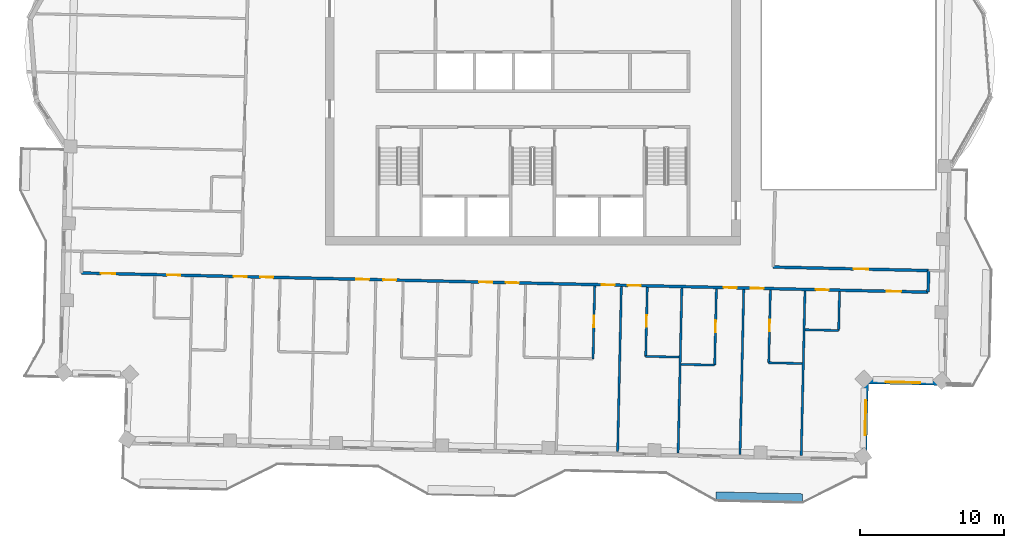
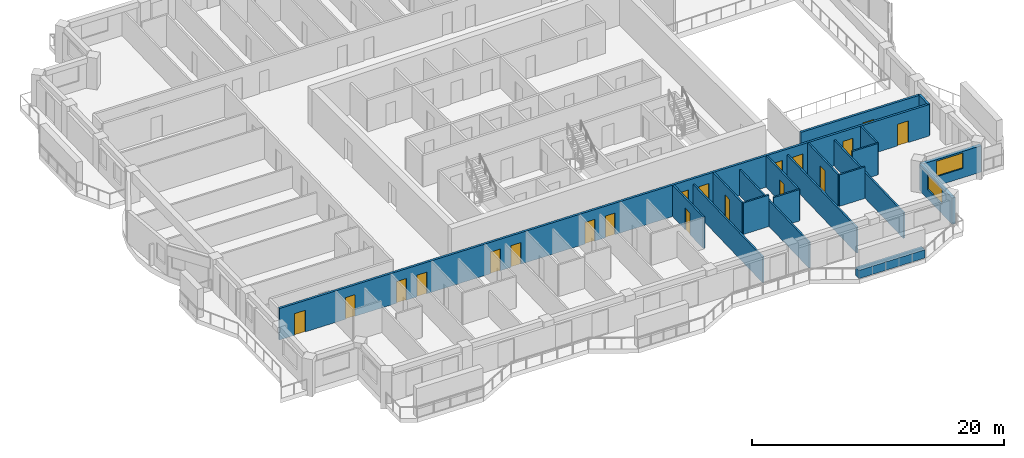
# One storey, part 6 of 15: 19 doors, 19 walls, 2 windows, 21 openings.
"""IFC4 building model written with IfcOpenShell, lengths in metres."""

from ifc_helpers import new_model, si_unit, direction, frame, frame_2d, origin, place, context, subcontext, project, spatial, rectangle, extrude, material, layer, layer_set, type_object, element, fill, save


model = new_model("IFC4")

# Units and contexts
model_context = context("Model", 3, precision=1e-05, world=origin(), true_north=direction((0.0, 1.0)))
body_context = subcontext(model_context, "Body", "Model", "MODEL_VIEW")
ifc_project = project(units=[si_unit("LENGTHUNIT", "METRE"), si_unit("AREAUNIT", "SQUARE_METRE"), si_unit("VOLUMEUNIT", "CUBIC_METRE"), si_unit("PLANEANGLEUNIT", "RADIAN"), si_unit("MASSUNIT", "GRAM", prefix="KILO")], contexts=[model_context])

# Site, building, storey
site_placement = place(None, origin())
site = spatial("IfcSite", under=ifc_project, at=site_placement, CompositionType="ELEMENT")
building_placement = place(site_placement, origin())
building = spatial("IfcBuilding", under=site, at=building_placement, Name="Mangrove Gate Tower", CompositionType="ELEMENT")
storey_placement = place(building_placement, frame((0.0, 0.0, 313.300048828125)))
storey = spatial("IfcBuildingStorey", under=building, at=storey_placement, Name="L80", CompositionType="ELEMENT", Elevation=313.300048828125)

# Wall, openings, doors
ifc_material_1 = material(Name="Gypsum board on steel stud, EI 60", Category="steel")
ifc_layer_1 = layer(ifc_material_1, 0.199951171875)
ifc_layer_set_1 = layer_set([ifc_layer_1], Name="Corridor wall EI 60")
wall_type_1 = type_object("IfcWallType", Name="Corridor wall EI 60", PredefinedType="PARTITIONING", material=ifc_layer_set_1)
wall_1_placement = place(storey_placement, frame((-31.346923828125, -13.3291015625, 0.0), z_axis=(0.0, 0.0, 1.0), x_axis=(0.999742613079, -0.022687168058, 0.0)))
wall_1 = element("IfcWall", 1, at=wall_1_placement, inside=storey, type_object=wall_type_1, Name="WALL-L80-034", PredefinedType="PARTITIONING", context=body_context, shape_type="SweptSolid", body=[
    extrude(rectangle(XDim=58.799072265625, YDim=0.199951171875, at=frame_2d((29.3994140625, 0.0))), origin(), (0.0, 0.0, 1.0), 3.050048828125),
])
opening_1_placement = place(wall_1_placement, frame((1.35009765625, 0.0, 0.0)))
opening_1 = element("IfcOpeningElement", 2, at=opening_1_placement, cuts=wall_1, Name="Opening AD", PredefinedType="OPENING", context=body_context, shape_type="SweptSolid", body=[
    extrude(rectangle(XDim=1.0, YDim=2.10009765625, at=frame_2d((0.5, 1.050048828125))), frame((0.0, 0.10986328125, 0.0), z_axis=(0.0, -1.0, 0.0), x_axis=(1.0, 0.0, 0.0)), (0.0, 0.0, 1.0), 0.219970703125),
])
opening_2_placement = place(wall_1_placement, frame((5.949951171875, 0.0, 0.0)))
opening_2 = element("IfcOpeningElement", 3, at=opening_2_placement, cuts=wall_1, Name="Opening SD", PredefinedType="OPENING", context=body_context, shape_type="SweptSolid", body=[
    extrude(rectangle(XDim=0.89990234375, YDim=2.10009765625, at=frame_2d((0.449951171875, 1.050048828125))), frame((0.0, 0.10986328125, 0.0), z_axis=(0.0, -1.0, 0.0), x_axis=(1.0, 0.0, 0.0)), (0.0, 0.0, 1.0), 0.219970703125),
])
opening_3_placement = place(wall_1_placement, frame((10.574951171875, 0.0, 0.0)))
opening_3 = element("IfcOpeningElement", 4, at=opening_3_placement, cuts=wall_1, Name="Opening BD", PredefinedType="OPENING", context=body_context, shape_type="SweptSolid", body=[
    extrude(rectangle(XDim=0.89990234375, YDim=2.10009765625, at=frame_2d((0.449951171875, 1.050048828125))), frame((0.0, 0.10986328125, 0.0), z_axis=(0.0, -1.0, 0.0), x_axis=(1.0, 0.0, 0.0)), (0.0, 0.0, 1.0), 0.219970703125),
])
opening_4_placement = place(wall_1_placement, frame((12.425048828125, 0.0, 0.0)))
opening_4 = element("IfcOpeningElement", 5, at=opening_4_placement, cuts=wall_1, Name="Opening BD", PredefinedType="OPENING", context=body_context, shape_type="SweptSolid", body=[
    extrude(rectangle(XDim=0.89990234375, YDim=2.10009765625, at=frame_2d((0.449951171875, 1.050048828125))), frame((0.0, 0.10986328125, 0.0), z_axis=(0.0, -1.0, 0.0), x_axis=(1.0, 0.0, 0.0)), (0.0, 0.0, 1.0), 0.219970703125),
])
opening_5_placement = place(wall_1_placement, frame((19.074951171875, 0.0, 0.0)))
opening_5 = element("IfcOpeningElement", 6, at=opening_5_placement, cuts=wall_1, Name="Opening BD", PredefinedType="OPENING", context=body_context, shape_type="SweptSolid", body=[
    extrude(rectangle(XDim=0.89990234375, YDim=2.10009765625, at=frame_2d((0.449951171875, 1.050048828125))), frame((0.0, 0.10986328125, 0.0), z_axis=(0.0, -1.0, 0.0), x_axis=(1.0, 0.0, 0.0)), (0.0, 0.0, 1.0), 0.219970703125),
])
opening_6_placement = place(wall_1_placement, frame((20.949951171875, 0.0, 0.0)))
opening_6 = element("IfcOpeningElement", 7, at=opening_6_placement, cuts=wall_1, Name="Opening BD", PredefinedType="OPENING", context=body_context, shape_type="SweptSolid", body=[
    extrude(rectangle(XDim=0.89990234375, YDim=2.10009765625, at=frame_2d((0.449951171875, 1.050048828125))), frame((0.0, 0.10986328125, 0.0), z_axis=(0.0, -1.0, 0.0), x_axis=(1.0, 0.0, 0.0)), (0.0, 0.0, 1.0), 0.219970703125),
])
opening_7_placement = place(wall_1_placement, frame((27.625, 0.0, 0.0)))
opening_7 = element("IfcOpeningElement", 8, at=opening_7_placement, cuts=wall_1, Name="Opening BD", PredefinedType="OPENING", context=body_context, shape_type="SweptSolid", body=[
    extrude(rectangle(XDim=0.89990234375, YDim=2.10009765625, at=frame_2d((0.449951171875, 1.050048828125))), frame((0.0, 0.10986328125, 0.0), z_axis=(0.0, -1.0, 0.0), x_axis=(1.0, 0.0, 0.0)), (0.0, 0.0, 1.0), 0.219970703125),
])
opening_8_placement = place(wall_1_placement, frame((29.47509765625, 0.0, 0.0)))
opening_8 = element("IfcOpeningElement", 9, at=opening_8_placement, cuts=wall_1, Name="Opening BD", PredefinedType="OPENING", context=body_context, shape_type="SweptSolid", body=[
    extrude(rectangle(XDim=0.89990234375, YDim=2.10009765625, at=frame_2d((0.449951171875, 1.050048828125))), frame((0.0, 0.10986328125, 0.0), z_axis=(0.0, -1.0, 0.0), x_axis=(1.0, 0.0, 0.0)), (0.0, 0.0, 1.0), 0.219970703125),
])
opening_9_placement = place(wall_1_placement, frame((36.125, 0.0, 0.0)))
opening_9 = element("IfcOpeningElement", 10, at=opening_9_placement, cuts=wall_1, Name="Opening BD", PredefinedType="OPENING", context=body_context, shape_type="SweptSolid", body=[
    extrude(rectangle(XDim=0.89990234375, YDim=2.10009765625, at=frame_2d((0.449951171875, 1.050048828125))), frame((0.0, 0.10986328125, 0.0), z_axis=(0.0, -1.0, 0.0), x_axis=(1.0, 0.0, 0.0)), (0.0, 0.0, 1.0), 0.219970703125),
])
opening_10_placement = place(wall_1_placement, frame((37.949951171875, 0.0, 0.0)))
opening_10 = element("IfcOpeningElement", 11, at=opening_10_placement, cuts=wall_1, Name="Opening BD", PredefinedType="OPENING", context=body_context, shape_type="SweptSolid", body=[
    extrude(rectangle(XDim=0.89990234375, YDim=2.10009765625, at=frame_2d((0.449951171875, 1.050048828125))), frame((0.0, 0.10986328125, 0.0), z_axis=(0.0, -1.0, 0.0), x_axis=(1.0, 0.0, 0.0)), (0.0, 0.0, 1.0), 0.219970703125),
])
opening_11_placement = place(wall_1_placement, frame((44.60009765625, 0.0, 0.0)))
opening_11 = element("IfcOpeningElement", 12, at=opening_11_placement, cuts=wall_1, Name="Opening BD", PredefinedType="OPENING", context=body_context, shape_type="SweptSolid", body=[
    extrude(rectangle(XDim=0.89990234375, YDim=2.10009765625, at=frame_2d((0.449951171875, 1.050048828125))), frame((0.0, 0.10986328125, 0.0), z_axis=(0.0, -1.0, 0.0), x_axis=(1.0, 0.0, 0.0)), (0.0, 0.0, 1.0), 0.219970703125),
])
opening_12_placement = place(wall_1_placement, frame((46.47509765625, 0.0, 0.0)))
opening_12 = element("IfcOpeningElement", 13, at=opening_12_placement, cuts=wall_1, Name="Opening BD", PredefinedType="OPENING", context=body_context, shape_type="SweptSolid", body=[
    extrude(rectangle(XDim=0.89990234375, YDim=2.10009765625, at=frame_2d((0.449951171875, 1.050048828125))), frame((0.0, 0.10986328125, 0.0), z_axis=(0.0, -1.0, 0.0), x_axis=(1.0, 0.0, 0.0)), (0.0, 0.0, 1.0), 0.219970703125),
])
opening_13_placement = place(wall_1_placement, frame((55.925048828125, 0.0, 0.0)))
opening_13 = element("IfcOpeningElement", 14, at=opening_13_placement, cuts=wall_1, Name="Opening AD", PredefinedType="OPENING", context=body_context, shape_type="SweptSolid", body=[
    extrude(rectangle(XDim=1.0, YDim=2.10009765625, at=frame_2d((0.5, 1.050048828125))), frame((0.0, 0.10986328125, 0.0), z_axis=(0.0, -1.0, 0.0), x_axis=(1.0, 0.0, 0.0)), (0.0, 0.0, 1.0), 0.219970703125),
])
opening_14_placement = place(wall_1_placement, frame((51.0, 0.0, 0.0)))
opening_14 = element("IfcOpeningElement", 15, at=opening_14_placement, cuts=wall_1, Name="Opening SD", PredefinedType="OPENING", context=body_context, shape_type="SweptSolid", body=[
    extrude(rectangle(XDim=0.89990234375, YDim=2.10009765625, at=frame_2d((0.449951171875, 1.050048828125))), frame((0.0, 0.10986328125, 0.0), z_axis=(0.0, -1.0, 0.0), x_axis=(1.0, 0.0, 0.0)), (0.0, 0.0, 1.0), 0.219970703125),
])
ifc_material_2 = material(Name="Timber door leaf", Category="wood")
door_type_1 = type_object("IfcDoorType", Name="Amenity door 1000", OperationType="SINGLE_SWING_LEFT", PredefinedType="DOOR", material=ifc_material_2)
door_1_placement = place(opening_1_placement, origin())
door_1 = element("IfcDoor", 16, at=door_1_placement, inside=storey, type_object=door_type_1, Name="DOOR-L80-LNG-c1a", OperationType="SINGLE_SWING_LEFT", OverallHeight=2.10009765625, OverallWidth=1.0, PredefinedType="DOOR", context=body_context, shape_type="SweptSolid", body=[
    extrude(rectangle(XDim=1.0, YDim=2.10009765625, at=frame_2d((0.5, 1.050048828125))), frame((0.0, 0.02490234375, 0.0), z_axis=(0.0, -1.0, 0.0), x_axis=(1.0, 0.0, 0.0)), (0.0, 0.0, 1.0), 0.050048828125),
])
fill(opening_1, door_1)
door_2_placement = place(opening_13_placement, origin())
door_2 = element("IfcDoor", 17, at=door_2_placement, inside=storey, type_object=door_type_1, Name="DOOR-L80-LNG-c3a", OperationType="SINGLE_SWING_RIGHT", OverallHeight=2.10009765625, OverallWidth=1.0, PredefinedType="DOOR", context=body_context, shape_type="SweptSolid", body=[
    extrude(rectangle(XDim=1.0, YDim=2.10009765625, at=frame_2d((0.5, 1.050048828125))), frame((0.0, 0.02490234375, 0.0), z_axis=(0.0, -1.0, 0.0), x_axis=(1.0, 0.0, 0.0)), (0.0, 0.0, 1.0), 0.050048828125),
])
fill(opening_13, door_2)
ifc_material_3 = material(Name="Timber door leaf", Category="wood")
door_type_2 = type_object("IfcDoorType", Name="Bedroom door 900", OperationType="SINGLE_SWING_LEFT", PredefinedType="DOOR", material=ifc_material_3)
door_3_placement = place(opening_3_placement, origin())
door_3 = element("IfcDoor", 18, at=door_3_placement, inside=storey, type_object=door_type_2, Name="DOOR-L80-BED-c101", OperationType="SINGLE_SWING_LEFT", OverallHeight=2.10009765625, OverallWidth=0.89990234375, PredefinedType="DOOR", context=body_context, shape_type="SweptSolid", body=[
    extrude(rectangle(XDim=0.89990234375, YDim=2.10009765625, at=frame_2d((0.449951171875, 1.050048828125))), frame((0.0, 0.02490234375, 0.0), z_axis=(0.0, -1.0, 0.0), x_axis=(1.0, 0.0, 0.0)), (0.0, 0.0, 1.0), 0.050048828125),
])
fill(opening_3, door_3)
door_4_placement = place(opening_4_placement, origin())
door_4 = element("IfcDoor", 19, at=door_4_placement, inside=storey, type_object=door_type_2, Name="DOOR-L80-BED-c102", OperationType="SINGLE_SWING_RIGHT", OverallHeight=2.10009765625, OverallWidth=0.89990234375, PredefinedType="DOOR", context=body_context, shape_type="SweptSolid", body=[
    extrude(rectangle(XDim=0.89990234375, YDim=2.10009765625, at=frame_2d((0.449951171875, 1.050048828125))), frame((0.0, 0.02490234375, 0.0), z_axis=(0.0, -1.0, 0.0), x_axis=(1.0, 0.0, 0.0)), (0.0, 0.0, 1.0), 0.050048828125),
])
fill(opening_4, door_4)
door_5_placement = place(opening_5_placement, origin())
door_5 = element("IfcDoor", 20, at=door_5_placement, inside=storey, type_object=door_type_2, Name="DOOR-L80-BED-c103", OperationType="SINGLE_SWING_LEFT", OverallHeight=2.10009765625, OverallWidth=0.89990234375, PredefinedType="DOOR", context=body_context, shape_type="SweptSolid", body=[
    extrude(rectangle(XDim=0.89990234375, YDim=2.10009765625, at=frame_2d((0.449951171875, 1.050048828125))), frame((0.0, 0.02490234375, 0.0), z_axis=(0.0, -1.0, 0.0), x_axis=(1.0, 0.0, 0.0)), (0.0, 0.0, 1.0), 0.050048828125),
])
fill(opening_5, door_5)
door_6_placement = place(opening_6_placement, origin())
door_6 = element("IfcDoor", 21, at=door_6_placement, inside=storey, type_object=door_type_2, Name="DOOR-L80-BED-c104", OperationType="SINGLE_SWING_RIGHT", OverallHeight=2.10009765625, OverallWidth=0.89990234375, PredefinedType="DOOR", context=body_context, shape_type="SweptSolid", body=[
    extrude(rectangle(XDim=0.89990234375, YDim=2.10009765625, at=frame_2d((0.449951171875, 1.050048828125))), frame((0.0, 0.02490234375, 0.0), z_axis=(0.0, -1.0, 0.0), x_axis=(1.0, 0.0, 0.0)), (0.0, 0.0, 1.0), 0.050048828125),
])
fill(opening_6, door_6)
door_7_placement = place(opening_7_placement, origin())
door_7 = element("IfcDoor", 22, at=door_7_placement, inside=storey, type_object=door_type_2, Name="DOOR-L80-BED-c205", OperationType="SINGLE_SWING_LEFT", OverallHeight=2.10009765625, OverallWidth=0.89990234375, PredefinedType="DOOR", context=body_context, shape_type="SweptSolid", body=[
    extrude(rectangle(XDim=0.89990234375, YDim=2.10009765625, at=frame_2d((0.449951171875, 1.050048828125))), frame((0.0, 0.02490234375, 0.0), z_axis=(0.0, -1.0, 0.0), x_axis=(1.0, 0.0, 0.0)), (0.0, 0.0, 1.0), 0.050048828125),
])
fill(opening_7, door_7)
door_8_placement = place(opening_8_placement, origin())
door_8 = element("IfcDoor", 23, at=door_8_placement, inside=storey, type_object=door_type_2, Name="DOOR-L80-BED-c206", OperationType="SINGLE_SWING_RIGHT", OverallHeight=2.10009765625, OverallWidth=0.89990234375, PredefinedType="DOOR", context=body_context, shape_type="SweptSolid", body=[
    extrude(rectangle(XDim=0.89990234375, YDim=2.10009765625, at=frame_2d((0.449951171875, 1.050048828125))), frame((0.0, 0.02490234375, 0.0), z_axis=(0.0, -1.0, 0.0), x_axis=(1.0, 0.0, 0.0)), (0.0, 0.0, 1.0), 0.050048828125),
])
fill(opening_8, door_8)
door_9_placement = place(opening_9_placement, origin())
door_9 = element("IfcDoor", 24, at=door_9_placement, inside=storey, type_object=door_type_2, Name="DOOR-L80-BED-c207", OperationType="SINGLE_SWING_LEFT", OverallHeight=2.10009765625, OverallWidth=0.89990234375, PredefinedType="DOOR", context=body_context, shape_type="SweptSolid", body=[
    extrude(rectangle(XDim=0.89990234375, YDim=2.10009765625, at=frame_2d((0.449951171875, 1.050048828125))), frame((0.0, 0.02490234375, 0.0), z_axis=(0.0, -1.0, 0.0), x_axis=(1.0, 0.0, 0.0)), (0.0, 0.0, 1.0), 0.050048828125),
])
fill(opening_9, door_9)
door_10_placement = place(opening_10_placement, origin())
door_10 = element("IfcDoor", 25, at=door_10_placement, inside=storey, type_object=door_type_2, Name="DOOR-L80-BED-c208", OperationType="SINGLE_SWING_RIGHT", OverallHeight=2.10009765625, OverallWidth=0.89990234375, PredefinedType="DOOR", context=body_context, shape_type="SweptSolid", body=[
    extrude(rectangle(XDim=0.89990234375, YDim=2.10009765625, at=frame_2d((0.449951171875, 1.050048828125))), frame((0.0, 0.02490234375, 0.0), z_axis=(0.0, -1.0, 0.0), x_axis=(1.0, 0.0, 0.0)), (0.0, 0.0, 1.0), 0.050048828125),
])
fill(opening_10, door_10)
door_11_placement = place(opening_11_placement, origin())
door_11 = element("IfcDoor", 26, at=door_11_placement, inside=storey, type_object=door_type_2, Name="DOOR-L80-BED-c309", OperationType="SINGLE_SWING_LEFT", OverallHeight=2.10009765625, OverallWidth=0.89990234375, PredefinedType="DOOR", context=body_context, shape_type="SweptSolid", body=[
    extrude(rectangle(XDim=0.89990234375, YDim=2.10009765625, at=frame_2d((0.449951171875, 1.050048828125))), frame((0.0, 0.02490234375, 0.0), z_axis=(0.0, -1.0, 0.0), x_axis=(1.0, 0.0, 0.0)), (0.0, 0.0, 1.0), 0.050048828125),
])
fill(opening_11, door_11)
door_12_placement = place(opening_12_placement, origin())
door_12 = element("IfcDoor", 27, at=door_12_placement, inside=storey, type_object=door_type_2, Name="DOOR-L80-BED-c310", OperationType="SINGLE_SWING_RIGHT", OverallHeight=2.10009765625, OverallWidth=0.89990234375, PredefinedType="DOOR", context=body_context, shape_type="SweptSolid", body=[
    extrude(rectangle(XDim=0.89990234375, YDim=2.10009765625, at=frame_2d((0.449951171875, 1.050048828125))), frame((0.0, 0.02490234375, 0.0), z_axis=(0.0, -1.0, 0.0), x_axis=(1.0, 0.0, 0.0)), (0.0, 0.0, 1.0), 0.050048828125),
])
fill(opening_12, door_12)
ifc_material_4 = material(Name="Timber door leaf", Category="wood")
door_type_3 = type_object("IfcDoorType", Name="Service room door 900", OperationType="SINGLE_SWING_LEFT", PredefinedType="DOOR", material=ifc_material_4)
door_13_placement = place(opening_2_placement, origin())
door_13 = element("IfcDoor", 28, at=door_13_placement, inside=storey, type_object=door_type_3, Name="DOOR-L80-AWC-c1a", OperationType="SINGLE_SWING_LEFT", OverallHeight=2.10009765625, OverallWidth=0.89990234375, PredefinedType="DOOR", context=body_context, shape_type="SweptSolid", body=[
    extrude(rectangle(XDim=0.89990234375, YDim=2.10009765625, at=frame_2d((0.449951171875, 1.050048828125))), frame((0.0, 0.02490234375, 0.0), z_axis=(0.0, -1.0, 0.0), x_axis=(1.0, 0.0, 0.0)), (0.0, 0.0, 1.0), 0.050048828125),
])
fill(opening_2, door_13)
door_14_placement = place(opening_14_placement, origin())
door_14 = element("IfcDoor", 29, at=door_14_placement, inside=storey, type_object=door_type_3, Name="DOOR-L80-WC-c3a", OperationType="SINGLE_SWING_RIGHT", OverallHeight=2.10009765625, OverallWidth=0.89990234375, PredefinedType="DOOR", context=body_context, shape_type="SweptSolid", body=[
    extrude(rectangle(XDim=0.89990234375, YDim=2.10009765625, at=frame_2d((0.449951171875, 1.050048828125))), frame((0.0, 0.02490234375, 0.0), z_axis=(0.0, -1.0, 0.0), x_axis=(1.0, 0.0, 0.0)), (0.0, 0.0, 1.0), 0.050048828125),
])
fill(opening_14, door_14)

# Wall
wall_2_placement = place(storey_placement, frame((27.43701171875, -14.6630859375, 0.0), z_axis=(0.0, 0.0, 1.0), x_axis=(0.022617910375, 0.999744182344, 0.0)))
element("IfcWall", 30, at=wall_2_placement, inside=storey, type_object=wall_type_1, Name="WALL-L80-036", PredefinedType="PARTITIONING", context=body_context, shape_type="SweptSolid", body=[
    extrude(rectangle(XDim=1.50048828125, YDim=0.199951171875, at=frame_2d((0.750244140625, 0.0))), origin(), (0.0, 0.0, 1.0), 3.050048828125),
])

# Wall, opening, door
wall_3_placement = place(storey_placement, frame((16.678955078125, -12.91796875, 0.0), z_axis=(0.0, 0.0, 1.0), x_axis=(0.999742162372, -0.022707020428, 0.0)))
wall_3 = element("IfcWall", 31, at=wall_3_placement, inside=storey, type_object=wall_type_1, Name="WALL-L80-040", PredefinedType="PARTITIONING", context=body_context, shape_type="SweptSolid", body=[
    extrude(rectangle(XDim=10.794677734375, YDim=0.199951171875, at=frame_2d((5.3974609375, 0.0))), origin(), (0.0, 0.0, 1.0), 3.050048828125),
])
opening_15_placement = place(wall_3_placement, frame((5.597900390625, 0.0, 0.0)))
opening_15 = element("IfcOpeningElement", 32, at=opening_15_placement, cuts=wall_3, Name="Opening AD", PredefinedType="OPENING", context=body_context, shape_type="SweptSolid", body=[
    extrude(rectangle(XDim=1.0, YDim=2.10009765625, at=frame_2d((0.5, 1.050048828125))), frame((0.0, 0.10986328125, 0.0), z_axis=(0.0, -1.0, 0.0), x_axis=(1.0, 0.0, 0.0)), (0.0, 0.0, 1.0), 0.219970703125),
])
door_15_placement = place(opening_15_placement, origin())
door_15 = element("IfcDoor", 33, at=door_15_placement, inside=storey, type_object=door_type_1, Name="DOOR-L80-LNG-c3b", OperationType="SINGLE_SWING_LEFT", OverallHeight=2.10009765625, OverallWidth=1.0, PredefinedType="DOOR", context=body_context, shape_type="SweptSolid", body=[
    extrude(rectangle(XDim=1.0, YDim=2.10009765625, at=frame_2d((0.5, 1.050048828125))), frame((0.0, 0.02490234375, 0.0), z_axis=(0.0, -1.0, 0.0), x_axis=(1.0, 0.0, 0.0)), (0.0, 0.0, 1.0), 0.050048828125),
])
fill(opening_15, door_15)

# Wall, opening, window
ifc_material_5 = material(Name="Limestone", Category="masonry")
ifc_layer_2 = layer(ifc_material_5, 0.0400390625, Name="Limestone cladding")
ifc_material_6 = material(Name="Ventilated air gap")
ifc_layer_3 = layer(ifc_material_6, 0.0400390625, Name="Ventilated cavity")
ifc_material_7 = material(Name="Mineral wool insulation")
ifc_layer_4 = layer(ifc_material_7, 0.06005859375, Name="Insulation")
ifc_material_8 = material(Name="Breather membrane")
ifc_layer_5 = layer(ifc_material_8, 0.001953125, Name="Breather membrane")
ifc_material_9 = material(Name="Concrete C20/25 blockwork", Category="masonry")
ifc_layer_6 = layer(ifc_material_9, 0.14990234375, Name="Blockwork backing wall")
ifc_material_10 = material(Name="Gypsum plaster")
ifc_layer_7 = layer(ifc_material_10, 0.008056640625, Name="Internal plaster")
ifc_layer_set_2 = layer_set([ifc_layer_2, ifc_layer_3, ifc_layer_4, ifc_layer_5, ifc_layer_6, ifc_layer_7], Name="External wall 300 limestone cladding")
wall_type_2 = type_object("IfcWallType", Name="External wall 300 limestone cladding", PredefinedType="SOLIDWALL", material=ifc_layer_set_2)
wall_4_placement = place(storey_placement, frame((23.02294921875, -26.26611328125, 0.0), z_axis=(0.0, 0.0, 1.0), x_axis=(0.022784045517, 0.999740409941, 0.0)))
wall_4 = element("IfcWall", 34, at=wall_4_placement, inside=storey, type_object=wall_type_2, Name="WALL-L80-E14", PredefinedType="SOLIDWALL", context=body_context, shape_type="SweptSolid", body=[
    extrude(rectangle(XDim=5.400634765625, YDim=0.300048828125, at=frame_2d((2.7001953125, 0.0))), origin(), (0.0, 0.0, 1.0), 2.550048828125),
])
opening_16_placement = place(wall_4_placement, frame((1.68701171875, 0.0, 0.89990234375)))
opening_16 = element("IfcOpeningElement", 35, at=opening_16_placement, cuts=wall_4, Name="Opening W2", PredefinedType="OPENING", context=body_context, shape_type="SweptSolid", body=[
    extrude(rectangle(XDim=2.39990234375, YDim=1.5, at=frame_2d((1.199951171875, 0.75))), frame((0.0, 0.159912109375, 0.0), z_axis=(0.0, -1.0, 0.0), x_axis=(1.0, 0.0, 0.0)), (0.0, 0.0, 1.0), 0.320068359375),
])
ifc_material_11 = material(Name="Aluminium frame with double-glazed low-e glass", Category="aluminium")
window_type = type_object("IfcWindowType", Name="Corner room window 2400x1500", PartitioningType="DOUBLE_PANEL_VERTICAL", PredefinedType="WINDOW", material=ifc_material_11)
window_1_placement = place(opening_16_placement, origin())
window_1 = element("IfcWindow", 36, at=window_1_placement, inside=storey, type_object=window_type, Name="WIN-L80-E14-1", OverallHeight=1.5, OverallWidth=2.39990234375, PartitioningType="DOUBLE_PANEL_VERTICAL", PredefinedType="WINDOW", context=body_context, shape_type="SweptSolid", body=[
    extrude(rectangle(XDim=2.39990234375, YDim=1.5, at=frame_2d((1.199951171875, 0.75))), frame((0.0, 0.030029296875, 0.0), z_axis=(0.0, -1.0, 0.0), x_axis=(1.0, 0.0, 0.0)), (0.0, 0.0, 1.0), 0.06005859375),
])
fill(opening_16, window_1)

wall_5_placement = place(storey_placement, frame((23.14599609375, -20.866943359375, 0.0), z_axis=(0.0, 0.0, 1.0), x_axis=(0.999740292565, -0.022789195272, 0.0)))
wall_5 = element("IfcWall", 37, at=wall_5_placement, inside=storey, type_object=wall_type_2, Name="WALL-L80-S15", PredefinedType="SOLIDWALL", context=body_context, shape_type="SweptSolid", body=[
    extrude(rectangle(XDim=5.3994140625, YDim=0.300048828125, at=frame_2d((2.69970703125, 0.0))), origin(), (0.0, 0.0, 1.0), 2.550048828125),
])
opening_17_placement = place(wall_5_placement, frame((1.3369140625, 0.0, 0.89990234375)))
opening_17 = element("IfcOpeningElement", 38, at=opening_17_placement, cuts=wall_5, Name="Opening W2", PredefinedType="OPENING", context=body_context, shape_type="SweptSolid", body=[
    extrude(rectangle(XDim=2.39990234375, YDim=1.5, at=frame_2d((1.199951171875, 0.75))), frame((0.0, 0.159912109375, 0.0), z_axis=(0.0, -1.0, 0.0), x_axis=(1.0, 0.0, 0.0)), (0.0, 0.0, 1.0), 0.320068359375),
])
window_2_placement = place(opening_17_placement, origin())
window_2 = element("IfcWindow", 39, at=window_2_placement, inside=storey, type_object=window_type, Name="WIN-L80-S15-1", OverallHeight=1.5, OverallWidth=2.39990234375, PartitioningType="DOUBLE_PANEL_VERTICAL", PredefinedType="WINDOW", context=body_context, shape_type="SweptSolid", body=[
    extrude(rectangle(XDim=2.39990234375, YDim=1.5, at=frame_2d((1.199951171875, 0.75))), frame((0.0, 0.030029296875, 0.0), z_axis=(0.0, -1.0, 0.0), x_axis=(1.0, 0.0, 0.0)), (0.0, 0.0, 1.0), 0.06005859375),
])
fill(opening_17, window_2)

# Walls
ifc_material_12 = material(Name="Gypsum board on steel stud, EI 60", Category="steel")
ifc_layer_8 = layer(ifc_material_12, 0.14990234375)
ifc_layer_set_3 = layer_set([ifc_layer_8], Name="Party wall 150 EI 60")
wall_type_3 = type_object("IfcWallType", Name="Party wall 150 EI 60", PredefinedType="PARTITIONING", material=ifc_layer_set_3)
for number, where, z_axis, x_axis, name in (
    (40, (5.881103515625, -25.72705078125, 0.0), (0.0, 0.0, 1.0), (0.022708327922, 0.999742132674, 0.0), "WALL-L80-008"),
    (41, (10.080078125, -25.822021484375, 0.0), (0.0, 0.0, 1.0), (0.022708327922, 0.999742132674, 0.0), "WALL-L80-009"),
    (42, (14.37890625, -25.919921875, 0.0), (0.0, 0.0, 1.0), (0.022623082162, 0.999744065325, 0.0), "WALL-L80-010"),
    (43, (18.6279296875, -26.01611328125, 0.0), (0.0, 0.0, 1.0), (0.022623082162, 0.999744065325, 0.0), "WALL-L80-011"),
):
    element("IfcWall", number, at=place(storey_placement, frame(where, z_axis=z_axis, x_axis=x_axis)), inside=storey, type_object=wall_type_3, Name=name, PredefinedType="PARTITIONING", context=body_context, shape_type="SweptSolid", body=[
        extrude(rectangle(XDim=11.449951171875, YDim=0.14990234375, at=frame_2d((5.72509765625, 0.0))), origin(), (0.0, 0.0, 1.0), 2.5),
    ])
wall_6_placement = place(storey_placement, frame((10.2939453125, -19.675048828125, 0.0), z_axis=(0.0, 0.0, 1.0), x_axis=(0.999740478815, -0.022781023197, 0.0)))
element("IfcWall", 44, at=wall_6_placement, inside=storey, type_object=wall_type_3, Name="WALL-L80-014", PredefinedType="PARTITIONING", context=body_context, shape_type="SweptSolid", body=[
    extrude(rectangle(XDim=2.325439453125, YDim=0.14990234375, at=frame_2d((1.16259765625, 0.0))), origin(), (0.0, 0.0, 1.0), 3.050048828125),
])

# Wall, opening, door
wall_7_placement = place(storey_placement, frame((12.618896484375, -19.72802734375, 0.0), z_axis=(0.0, 0.0, 1.0), x_axis=(0.022661766832, 0.999743189186, 0.0)))
wall_7 = element("IfcWall", 45, at=wall_7_placement, inside=storey, type_object=wall_type_3, Name="WALL-L80-015", PredefinedType="PARTITIONING", context=body_context, shape_type="SweptSolid", body=[
    extrude(rectangle(XDim=5.300537109375, YDim=0.14990234375, at=frame_2d((2.650390625, 0.0))), origin(), (0.0, 0.0, 1.0), 3.050048828125),
])
opening_18_placement = place(wall_7_placement, frame((2.300048828125, 0.0, 0.0)))
opening_18 = element("IfcOpeningElement", 46, at=opening_18_placement, cuts=wall_7, Name="Opening ED", PredefinedType="OPENING", context=body_context, shape_type="SweptSolid", body=[
    extrude(rectangle(XDim=0.800048828125, YDim=2.10009765625, at=frame_2d((0.39990234375, 1.050048828125))), frame((0.0, 0.0849609375, 0.0), z_axis=(0.0, -1.0, 0.0), x_axis=(1.0, 0.0, 0.0)), (0.0, 0.0, 1.0), 0.169921875),
])
ifc_material_13 = material(Name="Timber door leaf", Category="wood")
door_type_4 = type_object("IfcDoorType", Name="En-suite door 800", OperationType="SINGLE_SWING_LEFT", PredefinedType="DOOR", material=ifc_material_13)
door_16_placement = place(opening_18_placement, origin())
door_16 = element("IfcDoor", 47, at=door_16_placement, inside=storey, type_object=door_type_4, Name="DOOR-L80-ENS-c309", OperationType="SINGLE_SWING_LEFT", OverallHeight=2.10009765625, OverallWidth=0.800048828125, PredefinedType="DOOR", context=body_context, shape_type="SweptSolid", body=[
    extrude(rectangle(XDim=0.800048828125, YDim=2.10009765625, at=frame_2d((0.39990234375, 1.050048828125))), frame((0.0, 0.02490234375, 0.0), z_axis=(0.0, -1.0, 0.0), x_axis=(1.0, 0.0, 0.0)), (0.0, 0.0, 1.0), 0.050048828125),
])
fill(opening_18, door_16)

wall_8_placement = place(storey_placement, frame((4.176025390625, -19.285888671875, 0.0), z_axis=(0.0, 0.0, 1.0), x_axis=(0.022774126501, 0.999740635946, 0.0)))
wall_8 = element("IfcWall", 48, at=wall_8_placement, inside=storey, type_object=wall_type_3, Name="WALL-L80-025", PredefinedType="PARTITIONING", context=body_context, shape_type="SweptSolid", body=[
    extrude(rectangle(XDim=5.049072265625, YDim=0.14990234375, at=frame_2d((2.5244140625, 0.0))), origin(), (0.0, 0.0, 1.0), 3.050048828125),
])
opening_19_placement = place(wall_8_placement, frame((2.175048828125, 0.0, 0.0)))
opening_19 = element("IfcOpeningElement", 49, at=opening_19_placement, cuts=wall_8, Name="Opening ED", PredefinedType="OPENING", context=body_context, shape_type="SweptSolid", body=[
    extrude(rectangle(XDim=0.800048828125, YDim=2.10009765625, at=frame_2d((0.39990234375, 1.050048828125))), frame((0.0, 0.0849609375, 0.0), z_axis=(0.0, -1.0, 0.0), x_axis=(1.0, 0.0, 0.0)), (0.0, 0.0, 1.0), 0.169921875),
])
door_17_placement = place(opening_19_placement, origin())
door_17 = element("IfcDoor", 50, at=door_17_placement, inside=storey, type_object=door_type_4, Name="DOOR-L80-ENS-c207", OperationType="SINGLE_SWING_LEFT", OverallHeight=2.10009765625, OverallWidth=0.800048828125, PredefinedType="DOOR", context=body_context, shape_type="SweptSolid", body=[
    extrude(rectangle(XDim=0.800048828125, YDim=2.10009765625, at=frame_2d((0.39990234375, 1.050048828125))), frame((0.0, 0.02490234375, 0.0), z_axis=(0.0, -1.0, 0.0), x_axis=(1.0, 0.0, 0.0)), (0.0, 0.0, 1.0), 0.050048828125),
])
fill(opening_19, door_17)

# Wall
wall_9_placement = place(storey_placement, frame((16.373046875, -19.56298828125, 0.0), z_axis=(0.0, 0.0, 1.0), x_axis=(0.999740478815, -0.022781023197, 0.0)))
element("IfcWall", 51, at=wall_9_placement, inside=storey, type_object=wall_type_3, Name="WALL-L80-026", PredefinedType="PARTITIONING", context=body_context, shape_type="SweptSolid", body=[
    extrude(rectangle(XDim=2.325439453125, YDim=0.14990234375, at=frame_2d((1.16259765625, 0.0))), origin(), (0.0, 0.0, 1.0), 3.050048828125),
])

# Wall, opening, door
wall_10_placement = place(storey_placement, frame((16.373046875, -19.56298828125, 0.0), z_axis=(0.0, 0.0, 1.0), x_axis=(0.022773025649, 0.999740661023, 0.0)))
wall_10 = element("IfcWall", 52, at=wall_10_placement, inside=storey, type_object=wall_type_3, Name="WALL-L80-027", PredefinedType="PARTITIONING", context=body_context, shape_type="SweptSolid", body=[
    extrude(rectangle(XDim=5.04931640625, YDim=0.14990234375, at=frame_2d((2.524658203125, 0.0))), origin(), (0.0, 0.0, 1.0), 3.050048828125),
])
opening_20_placement = place(wall_10_placement, frame((2.175048828125, 0.0, 0.0)))
opening_20 = element("IfcOpeningElement", 53, at=opening_20_placement, cuts=wall_10, Name="Opening ED", PredefinedType="OPENING", context=body_context, shape_type="SweptSolid", body=[
    extrude(rectangle(XDim=0.800048828125, YDim=2.10009765625, at=frame_2d((0.39990234375, 1.050048828125))), frame((0.0, 0.0849609375, 0.0), z_axis=(0.0, -1.0, 0.0), x_axis=(1.0, 0.0, 0.0)), (0.0, 0.0, 1.0), 0.169921875),
])
door_18_placement = place(opening_20_placement, origin())
door_18 = element("IfcDoor", 54, at=door_18_placement, inside=storey, type_object=door_type_4, Name="DOOR-L80-ENS-c310", OperationType="SINGLE_SWING_RIGHT", OverallHeight=2.10009765625, OverallWidth=0.800048828125, PredefinedType="DOOR", context=body_context, shape_type="SweptSolid", body=[
    extrude(rectangle(XDim=0.800048828125, YDim=2.10009765625, at=frame_2d((0.39990234375, 1.050048828125))), frame((0.0, 0.02490234375, 0.0), z_axis=(0.0, -1.0, 0.0), x_axis=(1.0, 0.0, 0.0)), (0.0, 0.0, 1.0), 0.050048828125),
])
fill(opening_20, door_18)

# Wall
wall_11_placement = place(storey_placement, frame((7.8310546875, -19.118896484375, 0.0), z_axis=(0.0, 0.0, 1.0), x_axis=(0.999738082346, -0.022885950011, 0.0)))
element("IfcWall", 55, at=wall_11_placement, inside=storey, type_object=wall_type_3, Name="WALL-L80-028", PredefinedType="PARTITIONING", context=body_context, shape_type="SweptSolid", body=[
    extrude(rectangle(XDim=2.325439453125, YDim=0.14990234375, at=frame_2d((1.16259765625, 0.0))), origin(), (0.0, 0.0, 1.0), 3.050048828125),
])

# Wall, opening, door
wall_12_placement = place(storey_placement, frame((7.8310546875, -19.118896484375, 0.0), z_axis=(0.0, 0.0, 1.0), x_axis=(0.022689048768, 0.999742570398, 0.0)))
wall_12 = element("IfcWall", 56, at=wall_12_placement, inside=storey, type_object=wall_type_3, Name="WALL-L80-029", PredefinedType="PARTITIONING", context=body_context, shape_type="SweptSolid", body=[
    extrude(rectangle(XDim=4.799072265625, YDim=0.14990234375, at=frame_2d((2.3994140625, 0.0))), origin(), (0.0, 0.0, 1.0), 3.050048828125),
])
opening_21_placement = place(wall_12_placement, frame((2.050048828125, 0.0, 0.0)))
opening_21 = element("IfcOpeningElement", 57, at=opening_21_placement, cuts=wall_12, Name="Opening ED", PredefinedType="OPENING", context=body_context, shape_type="SweptSolid", body=[
    extrude(rectangle(XDim=0.800048828125, YDim=2.10009765625, at=frame_2d((0.39990234375, 1.050048828125))), frame((0.0, 0.0849609375, 0.0), z_axis=(0.0, -1.0, 0.0), x_axis=(1.0, 0.0, 0.0)), (0.0, 0.0, 1.0), 0.169921875),
])
door_19_placement = place(opening_21_placement, origin())
door_19 = element("IfcDoor", 58, at=door_19_placement, inside=storey, type_object=door_type_4, Name="DOOR-L80-ENS-c208", OperationType="SINGLE_SWING_RIGHT", OverallHeight=2.10009765625, OverallWidth=0.800048828125, PredefinedType="DOOR", context=body_context, shape_type="SweptSolid", body=[
    extrude(rectangle(XDim=0.800048828125, YDim=2.10009765625, at=frame_2d((0.39990234375, 1.050048828125))), frame((0.0, 0.02490234375, 0.0), z_axis=(0.0, -1.0, 0.0), x_axis=(1.0, 0.0, 0.0)), (0.0, 0.0, 1.0), 0.050048828125),
])
fill(opening_21, door_19)

# Walls
wall_13_placement = place(storey_placement, frame((18.90087890625, -17.27001953125, 0.0), z_axis=(0.0, 0.0, 1.0), x_axis=(0.99974031529, -0.022788198363, 0.0)))
element("IfcWall", 59, at=wall_13_placement, inside=storey, type_object=wall_type_3, Name="WALL-L80-032", PredefinedType="PARTITIONING", context=body_context, shape_type="SweptSolid", body=[
    extrude(rectangle(XDim=2.32470703125, YDim=0.14990234375, at=frame_2d((1.162353515625, 0.0))), origin(), (0.0, 0.0, 1.0), 3.050048828125),
])
wall_14_placement = place(storey_placement, frame((21.22509765625, -17.322998046875, 0.0), z_axis=(0.0, 0.0, 1.0), x_axis=(0.022961663075, 0.999736346258, 0.0)))
element("IfcWall", 60, at=wall_14_placement, inside=storey, type_object=wall_type_3, Name="WALL-L80-033", PredefinedType="PARTITIONING", context=body_context, shape_type="SweptSolid", body=[
    extrude(rectangle(XDim=2.70068359375, YDim=0.14990234375, at=frame_2d((1.350341796875, 0.0))), origin(), (0.0, 0.0, 1.0), 3.050048828125),
])
ifc_material_14 = material(Name="Concrete C32/40", Category="concrete")
ifc_layer_9 = layer(ifc_material_14, 0.199951171875, Name="Planter trough wall")
ifc_material_15 = material(Name="Bituminous waterproofing membrane")
ifc_layer_10 = layer(ifc_material_15, 0.0048828125, Name="Waterproofing")
ifc_material_16 = material(Name="Drainage board and gravel")
ifc_layer_11 = layer(ifc_material_16, 0.044921875, Name="Drainage layer")
ifc_material_17 = material(Name="Planting soil")
ifc_layer_12 = layer(ifc_material_17, 0.300048828125, Name="Growing medium")
ifc_layer_set_4 = layer_set([ifc_layer_9, ifc_layer_10, ifc_layer_11, ifc_layer_12], Name="Planter wall 550 C32/40")
wall_type_4 = type_object("IfcWallType", Name="Planter wall 550 C32/40", PredefinedType="USERDEFINED", material=ifc_layer_set_4)
wall_15_placement = place(storey_placement, frame((12.712890625, -28.798095703125, 0.0), z_axis=(0.0, 0.0, 1.0), x_axis=(0.999743094499, -0.022665943652, 0.0)))
element("IfcWall", 61, at=wall_15_placement, inside=storey, type_object=wall_type_4, Name="PLANTER L80 S1.1", ObjectType="PLANTER", PredefinedType="USERDEFINED", context=body_context, shape_type="SweptSolid", body=[
    extrude(rectangle(XDim=5.99951171875, YDim=0.550048828125, at=frame_2d((2.999755859375, 0.0))), origin(), (0.0, 0.0, 1.0), 0.800048828125),
])

save(model, "model.ifc")
